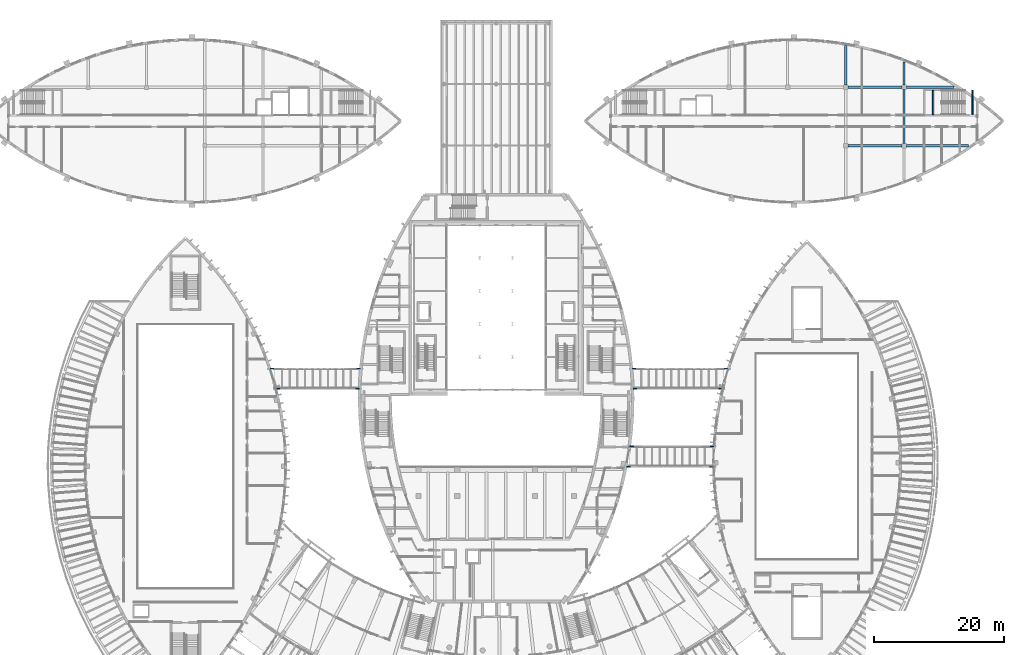
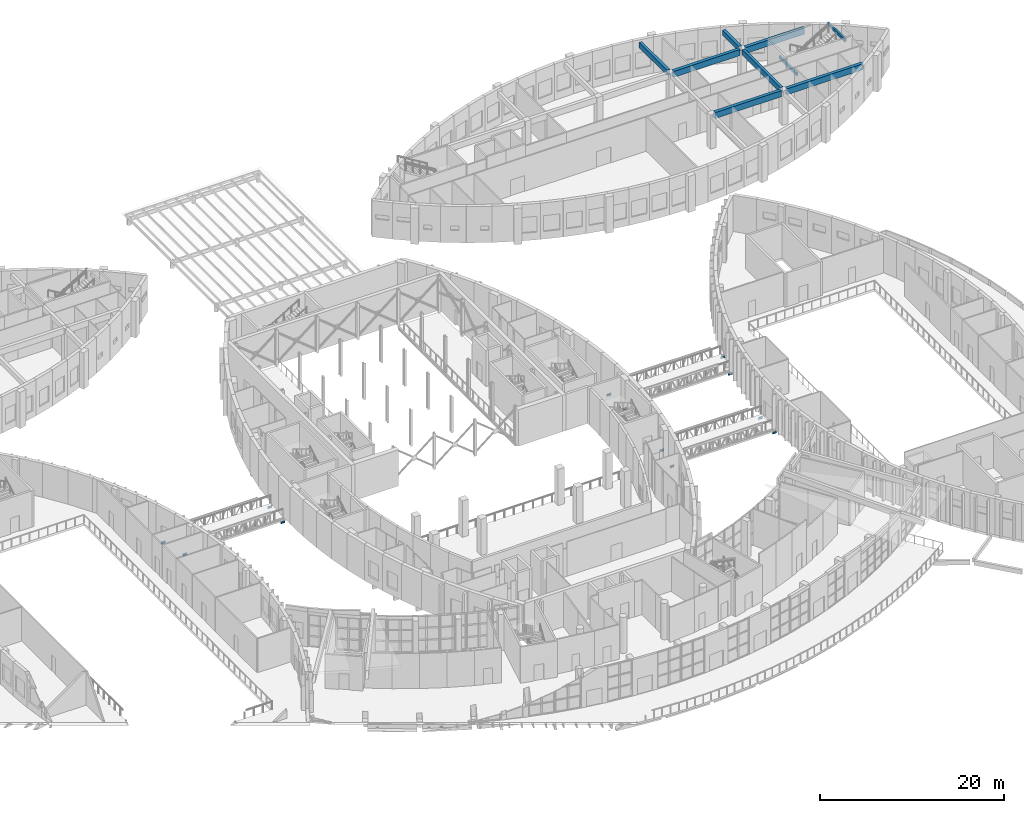
# One storey, part 40 of 93: 12 members, 9 beams.
"""IFC4 building model written with IfcOpenShell, lengths in metres."""

from ifc_helpers import new_model, si_unit, direction, frame, origin, origin_2d, place, context, subcontext, project, spatial, rectangle, i_section, extrude, material, material_profile, profile_set, type_object, element, save


model = new_model("IFC4")

# Units and contexts
model_context = context("Model", 3, precision=1e-05, world=origin(), true_north=direction((0.0, 1.0)))
body_context = subcontext(model_context, "Body", "Model", "MODEL_VIEW")
ifc_project = project(units=[si_unit("LENGTHUNIT", "METRE"), si_unit("AREAUNIT", "SQUARE_METRE"), si_unit("VOLUMEUNIT", "CUBIC_METRE"), si_unit("PLANEANGLEUNIT", "RADIAN"), si_unit("MASSUNIT", "GRAM", prefix="KILO")], contexts=[model_context])

# Site, building, storey
site_placement = place(None, origin())
site = spatial("IfcSite", under=ifc_project, at=site_placement, CompositionType="ELEMENT")
building_placement = place(site_placement, origin())
building = spatial("IfcBuilding", under=site, at=building_placement, Name="Tide Square Theatres", CompositionType="ELEMENT")
storey_placement = place(building_placement, frame((0.0, 0.0, 5.39990234375)))
storey = spatial("IfcBuildingStorey", under=building, at=storey_placement, Name="L01", CompositionType="ELEMENT", Elevation=5.39990234375)

# Beams
ifc_material_1 = material(Name="Concrete C35", Category="concrete")
ifc_material_profile_1 = material_profile(ifc_material_1, rectangle(XDim=0.199951171875, YDim=0.39990234375, at=origin_2d()))
ifc_profile_set_1 = profile_set([ifc_material_profile_1], Name="Concrete C35")
beam_type_1 = type_object("IfcBeamType", Name="RC beam 200 x 400", PredefinedType="BEAM", material=ifc_profile_set_1)
for number, where, z_axis, x_axis, name in (
    (1, (157.550048828125, 102.550048828125, 4.320068359375), (0.0, -1.0, 0.0), (1.0, 0.0, 0.0), "Rehearsal Block stair floor landing beam"),
    (2, (151.48046875, 98.800048828125, 2.0), (0.0, 1.0, 0.0), (-1.0, 0.0, 0.0), "Rehearsal Block stair landing beam"),
):
    element("IfcBeam", number, at=place(storey_placement, frame(where, z_axis=z_axis, x_axis=x_axis)), inside=storey, type_object=beam_type_1, Name=name, PredefinedType="BEAM", context=body_context, shape_type="SweptSolid", body=[
        extrude(rectangle(XDim=0.199951171875, YDim=0.39990234375, at=origin_2d()), origin(), (0.0, 0.0, 1.0), 3.75),
    ])
ifc_material_2 = material(Name="Concrete C35", Category="concrete")
ifc_material_profile_2 = material_profile(ifc_material_2, rectangle(XDim=0.35009765625, YDim=0.699951171875, at=origin_2d()))
ifc_profile_set_2 = profile_set([ifc_material_profile_2], Name="Concrete C35")
beam_type_2 = type_object("IfcBeamType", Name="RC beam 350 x 700", PredefinedType="BEAM", material=ifc_profile_set_2)
beam_1_placement = place(storey_placement, frame((138.0, 103.35009765625, 4.170166015625), z_axis=(0.0, 1.0, 0.0), x_axis=(-1.0, 0.0, 0.0)))
element("IfcBeam", 3, at=beam_1_placement, inside=storey, type_object=beam_type_2, Name="Rehearsal Block floor beam L02 12", PredefinedType="BEAM", context=body_context, shape_type="SweptSolid", body=[
    extrude(rectangle(XDim=0.35009765625, YDim=0.699951171875, at=origin_2d()), origin(), (0.0, 0.0, 1.0), 6.08740234375),
])
beam_2_placement = place(storey_placement, frame((147.0, 94.35009765625, 4.170166015625), z_axis=(0.0, 1.0, 0.0), x_axis=(-1.0, 0.0, 0.0)))
element("IfcBeam", 4, at=beam_2_placement, inside=storey, type_object=beam_type_2, Name="Rehearsal Block floor beam L02 14", PredefinedType="BEAM", context=body_context, shape_type="SweptSolid", body=[
    extrude(rectangle(XDim=0.35009765625, YDim=0.699951171875, at=origin_2d()), origin(), (0.0, 0.0, 1.0), 8.2998046875),
])
beam_3_placement = place(storey_placement, frame((147.0, 103.35009765625, 4.170166015625), z_axis=(0.0, 1.0, 0.0), x_axis=(-1.0, 0.0, 0.0)))
element("IfcBeam", 5, at=beam_3_placement, inside=storey, type_object=beam_type_2, Name="Rehearsal Block floor beam L02 15", PredefinedType="BEAM", context=body_context, shape_type="SweptSolid", body=[
    extrude(rectangle(XDim=0.35009765625, YDim=0.699951171875, at=origin_2d()), origin(), (0.0, 0.0, 1.0), 3.591796875),
])
ifc_material_3 = material(Name="Concrete C35", Category="concrete")
ifc_material_profile_3 = material_profile(ifc_material_3, rectangle(XDim=0.39990234375, YDim=0.800048828125, at=origin_2d()))
ifc_profile_set_3 = profile_set([ifc_material_profile_3], Name="Concrete C35")
beam_type_3 = type_object("IfcBeamType", Name="RC beam 400 x 800", PredefinedType="BEAM", material=ifc_profile_set_3)
beam_4_placement = place(storey_placement, frame((138.35009765625, 94.0, 4.1201171875), z_axis=(1.0, 0.0, 0.0), x_axis=(0.0, 1.0, 0.0)))
element("IfcBeam", 6, at=beam_4_placement, inside=storey, type_object=beam_type_3, Name="Rehearsal Block floor beam L02 1", PredefinedType="BEAM", context=body_context, shape_type="SweptSolid", body=[
    extrude(rectangle(XDim=0.39990234375, YDim=0.800048828125, at=origin_2d()), origin(), (0.0, 0.0, 1.0), 8.2998046875),
])
beam_5_placement = place(storey_placement, frame((147.35009765625, 94.0, 4.1201171875), z_axis=(1.0, 0.0, 0.0), x_axis=(0.0, 1.0, 0.0)))
element("IfcBeam", 7, at=beam_5_placement, inside=storey, type_object=beam_type_3, Name="Rehearsal Block floor beam L02 2", PredefinedType="BEAM", context=body_context, shape_type="SweptSolid", body=[
    extrude(rectangle(XDim=0.39990234375, YDim=0.800048828125, at=origin_2d()), origin(), (0.0, 0.0, 1.0), 9.5615234375),
])
beam_6_placement = place(storey_placement, frame((138.35009765625, 103.0, 4.1201171875), z_axis=(1.0, 0.0, 0.0), x_axis=(0.0, 1.0, 0.0)))
element("IfcBeam", 8, at=beam_6_placement, inside=storey, type_object=beam_type_3, Name="Rehearsal Block floor beam L02 6", PredefinedType="BEAM", context=body_context, shape_type="SweptSolid", body=[
    extrude(rectangle(XDim=0.39990234375, YDim=0.800048828125, at=origin_2d()), origin(), (0.0, 0.0, 1.0), 8.2998046875),
])
beam_7_placement = place(storey_placement, frame((147.35009765625, 103.0, 4.1201171875), z_axis=(1.0, 0.0, 0.0), x_axis=(0.0, 1.0, 0.0)))
element("IfcBeam", 9, at=beam_7_placement, inside=storey, type_object=beam_type_3, Name="Rehearsal Block floor beam L02 7", PredefinedType="BEAM", context=body_context, shape_type="SweptSolid", body=[
    extrude(rectangle(XDim=0.39990234375, YDim=0.800048828125, at=origin_2d()), origin(), (0.0, 0.0, 1.0), 7.392822265625),
])

# Members
ifc_material_4 = material(Name="Steel ASTM A572 Grade 50", Category="steel")
ifc_material_profile_4 = material_profile(ifc_material_4, i_section(OverallWidth=0.14599609375, OverallDepth=0.258056640625, WebThickness=0.006103515625, FlangeThickness=0.009033203125, FilletRadius=0.010009765625, at=origin_2d()))
ifc_profile_set_4 = profile_set([ifc_material_profile_4], Name="Steel ASTM A572 Grade 50")
member_type = type_object("IfcMemberType", Name="Steel seat bracket W 250 x 32.7", PredefinedType="MEMBER", material=ifc_profile_set_4)
for number, where, z_axis, x_axis, name in (
    (10, (50.0185546875, 56.425048828125, -0.52880859375), (1.0, 0.0, 0.0), (0.0, 1.0, 0.0), "Bridge BR-W1 seat bracket"),
    (11, (62.85009765625, 56.425048828125, -0.52880859375), (-1.0, 0.0, 0.0), (0.0, -1.0, 0.0), "Bridge BR-W1 seat bracket"),
):
    element("IfcMember", number, at=place(storey_placement, frame(where, z_axis=z_axis, x_axis=x_axis)), inside=storey, type_object=member_type, Name=name, PredefinedType="MEMBER", context=body_context, shape_type="SweptSolid", body=[
        extrude(i_section(OverallWidth=0.14599609375, OverallDepth=0.258056640625, WebThickness=0.006103515625, FlangeThickness=0.009033203125, FilletRadius=0.010009765625, at=origin_2d()), origin(), (0.0, 0.0, 1.0), 0.550048828125),
    ])
member_1_placement = place(storey_placement, frame((49.10107421875, 59.574951171875, -0.52880859375), z_axis=(1.0, 0.0, 0.0), x_axis=(0.0, 1.0, 0.0)))
element("IfcMember", 12, at=member_1_placement, inside=storey, type_object=member_type, Name="Bridge BR-W1 seat bracket", PredefinedType="MEMBER", context=body_context, shape_type="SweptSolid", body=[
    extrude(i_section(OverallWidth=0.14599609375, OverallDepth=0.258056640625, WebThickness=0.006103515625, FlangeThickness=0.009033203125, FilletRadius=0.010009765625, at=origin_2d()), origin(), (0.0, 0.0, 1.0), 0.5498046875),
])
member_2_placement = place(storey_placement, frame((63.022216796875, 59.574951171875, -0.52880859375), z_axis=(-1.0, 0.0, 0.0), x_axis=(0.0, -1.0, 0.0)))
element("IfcMember", 13, at=member_2_placement, inside=storey, type_object=member_type, Name="Bridge BR-W1 seat bracket", PredefinedType="MEMBER", context=body_context, shape_type="SweptSolid", body=[
    extrude(i_section(OverallWidth=0.14599609375, OverallDepth=0.258056640625, WebThickness=0.006103515625, FlangeThickness=0.009033203125, FilletRadius=0.010009765625, at=origin_2d()), origin(), (0.0, 0.0, 1.0), 0.550048828125),
])
member_3_placement = place(storey_placement, frame((119.801513671875, 59.574951171875, -0.52880859375), z_axis=(-1.0, 0.0, 0.0), x_axis=(0.0, -1.0, 0.0)))
element("IfcMember", 14, at=member_3_placement, inside=storey, type_object=member_type, Name="Bridge BR-E1 seat bracket", PredefinedType="MEMBER", context=body_context, shape_type="SweptSolid", body=[
    extrude(i_section(OverallWidth=0.14599609375, OverallDepth=0.258056640625, WebThickness=0.006103515625, FlangeThickness=0.009033203125, FilletRadius=0.010009765625, at=origin_2d()), origin(), (0.0, 0.0, 1.0), 0.5498046875),
])
for number, where, z_axis, x_axis, name in (
    (15, (104.977783203125, 59.574951171875, -0.52880859375), (1.0, 0.0, 0.0), (0.0, 1.0, 0.0), "Bridge BR-E1 seat bracket"),
    (16, (118.9208984375, 56.425048828125, -0.52880859375), (-1.0, 0.0, 0.0), (0.0, -1.0, 0.0), "Bridge BR-E1 seat bracket"),
    (17, (105.14990234375, 56.425048828125, -0.52880859375), (1.0, 0.0, 0.0), (0.0, 1.0, 0.0), "Bridge BR-E1 seat bracket"),
    (18, (117.593505859375, 47.574951171875, -0.52880859375), (-1.0, 0.0, 0.0), (0.0, -1.0, 0.0), "Bridge BR-E2 seat bracket"),
    (19, (104.661865234375, 47.574951171875, -0.52880859375), (1.0, 0.0, 0.0), (0.0, 1.0, 0.0), "Bridge BR-E2 seat bracket"),
    (20, (117.5380859375, 44.425048828125, -0.52880859375), (-1.0, 0.0, 0.0), (0.0, -1.0, 0.0), "Bridge BR-E2 seat bracket"),
    (21, (104.138671875, 44.425048828125, -0.52880859375), (1.0, 0.0, 0.0), (0.0, 1.0, 0.0), "Bridge BR-E2 seat bracket"),
):
    element("IfcMember", number, at=place(storey_placement, frame(where, z_axis=z_axis, x_axis=x_axis)), inside=storey, type_object=member_type, Name=name, PredefinedType="MEMBER", context=body_context, shape_type="SweptSolid", body=[
        extrude(i_section(OverallWidth=0.14599609375, OverallDepth=0.258056640625, WebThickness=0.006103515625, FlangeThickness=0.009033203125, FilletRadius=0.010009765625, at=origin_2d()), origin(), (0.0, 0.0, 1.0), 0.550048828125),
    ])

save(model, "model.ifc")
